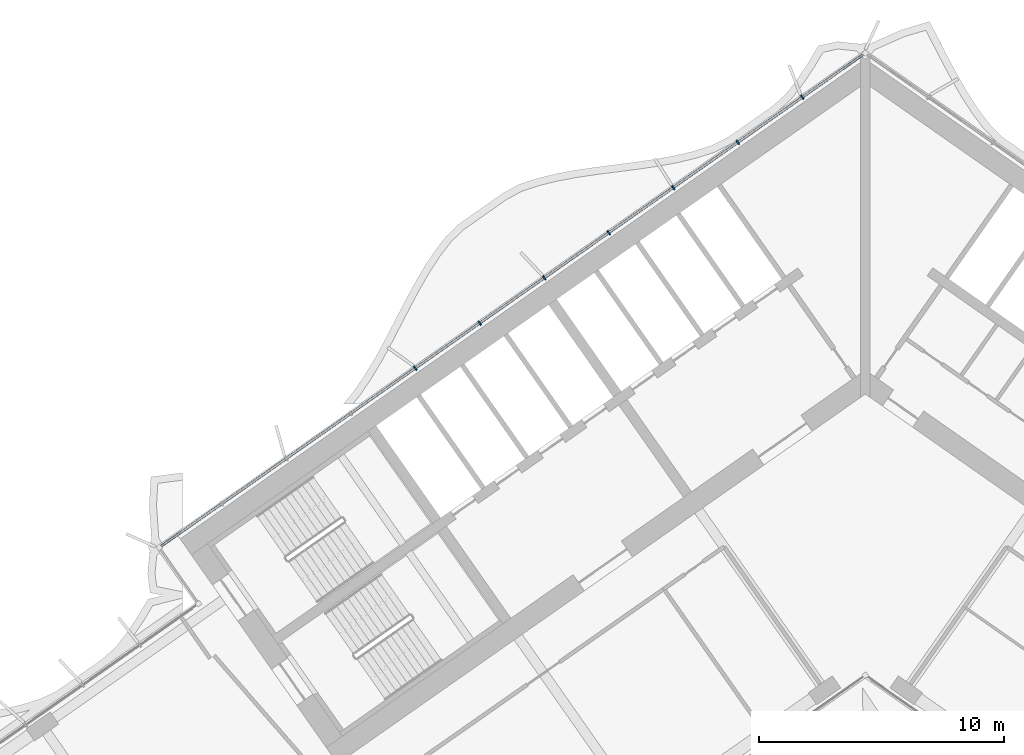
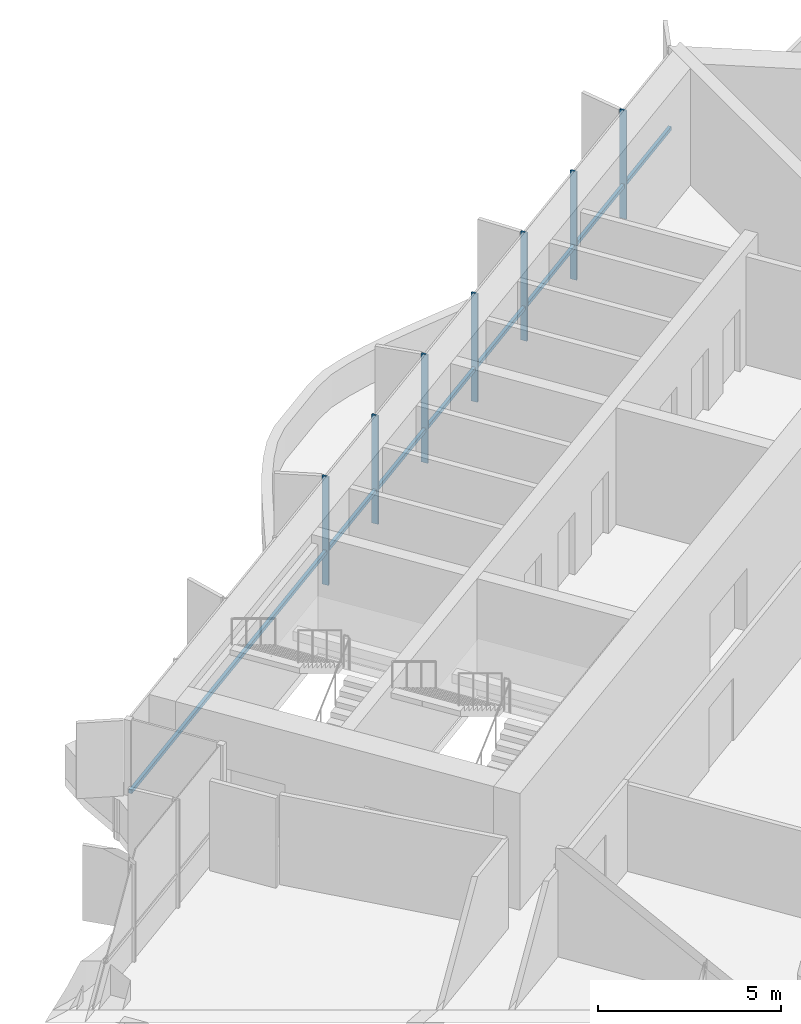
# One storey, part 7 of 21: 8 members, 1 element without a shape of its own.
"""IFC4 building model written with IfcOpenShell, lengths in metres."""

import ifcopenshell
import ifcopenshell.guid

model = None  # the IFC model being written
_history = None  # IfcOwnerHistory: only IFC2X3 demands one
_inside = {}  # id of a spatial element -> (the spatial element, [elements in it])
_under = {}  # id of a project, library or spatial element -> (it, [spatial elements below it])
_declared = {}  # id of a project -> (the project, [libraries it declares])
_typed = {}  # id of a type object -> (the type object, [elements of that type])
_made_of = {}  # id of a material, layer set ... -> (it, [elements and type objects made of it])


def new_model(schema):
    """Start an empty IFC model of exactly this schema.

    Asked for "IFC4X3", IfcOpenShell would pick the latest addendum, in which some entities
    have other attributes; the version numbers below select the first issue.
    IFC2X3 requires an IfcOwnerHistory on every rooted entity: one is made here for all.
    """
    global model, _history
    if schema == "IFC4X3":
        model = ifcopenshell.file(schema_version=(4, 3, 0, 0))
    else:
        model = ifcopenshell.file(schema=schema)
    _inside.clear()
    _under.clear()
    _declared.clear()
    _typed.clear()
    _made_of.clear()
    _history = None
    if model.schema == "IFC2X3":
        org = make("IfcOrganization", Name="unknown")
        user = make(
            "IfcPersonAndOrganization",
            ThePerson=make("IfcPerson", FamilyName="unknown"),
            TheOrganization=org,
        )
        app = make(
            "IfcApplication",
            ApplicationDeveloper=org,
            Version="unknown",
            ApplicationFullName="unknown",
            ApplicationIdentifier="unknown",
        )
        _history = make(
            "IfcOwnerHistory",
            OwningUser=user,
            OwningApplication=app,
            ChangeAction="ADDED",
            CreationDate=0,
        )
    return model


def make(cls, **values):
    """One entity of the class cls with the attributes given. An attribute that is None is left unset."""
    return model.create_entity(
        cls, **{name: value for name, value in values.items() if value is not None}
    )


def rooted(cls, **values):
    """An entity with a GlobalId (a new one), such as an element, a storey or a relation."""
    return make(cls, GlobalId=ifcopenshell.guid.new(), OwnerHistory=_history, **values)


def si_unit(unit_type, name, prefix=None):
    """IfcSIUnit, for example si_unit("LENGTHUNIT", "METRE", prefix="MILLI")."""
    return make("IfcSIUnit", UnitType=unit_type, Prefix=prefix, Name=name)


def assignment(units):
    """IfcUnitAssignment: the units of a project."""
    return None if units is None else make("IfcUnitAssignment", Units=units)


def point(xyz):
    """IfcCartesianPoint."""
    return None if xyz is None else make("IfcCartesianPoint", Coordinates=xyz)


def direction(xyz):
    """IfcDirection."""
    return None if xyz is None else make("IfcDirection", DirectionRatios=xyz)


def frame(location, z_axis=None, x_axis=None):
    """IfcAxis2Placement3D, a coordinate frame: its origin and axes. An axis left out is left unset."""
    return make(
        "IfcAxis2Placement3D",
        Location=point(location),
        Axis=direction(z_axis),
        RefDirection=direction(x_axis),
    )


def frame_2d(location, x_axis=None):
    """IfcAxis2Placement2D, a coordinate frame in the plane: its origin and x axis."""
    return make(
        "IfcAxis2Placement2D", Location=point(location), RefDirection=direction(x_axis)
    )


def origin():
    """The frame at (0, 0, 0) with its axes left unset."""
    return frame((0.0, 0.0, 0.0))


def origin_2d():
    """The frame at (0, 0) in the plane with its x axis left unset."""
    return frame_2d((0.0, 0.0))


def place(relative_to, where):
    """IfcLocalPlacement: puts the frame where relative to a parent placement (None: the world)."""
    return make(
        "IfcLocalPlacement", PlacementRelTo=relative_to, RelativePlacement=where
    )


def context(
    kind, dimensions, precision=None, world=None, true_north=None, identifier=None
):
    """IfcGeometricRepresentationContext, for example the 3D "Model" context."""
    return make(
        "IfcGeometricRepresentationContext",
        ContextIdentifier=identifier,
        ContextType=kind,
        CoordinateSpaceDimension=dimensions,
        Precision=precision,
        WorldCoordinateSystem=world,
        TrueNorth=true_north,
    )


def subcontext(parent, identifier, kind, view, scale=None):
    """IfcGeometricRepresentationSubContext, for example "Body" below "Model"."""
    return make(
        "IfcGeometricRepresentationSubContext",
        ContextIdentifier=identifier,
        ContextType=kind,
        ParentContext=parent,
        TargetScale=scale,
        TargetView=view,
    )


def project(units=None, contexts=None):
    """IfcProject with its units and contexts."""
    return rooted(
        "IfcProject",
        Name="project",
        RepresentationContexts=contexts,
        UnitsInContext=assignment(units),
    )


def spatial(cls, under=None, at=None, **own):
    """A site, building, storey or space (cls), placed at a placement, below another one or the project."""
    s = rooted(cls, ObjectPlacement=at, **own)
    if under is not None:
        _under.setdefault(under.id(), (under, []))[1].append(s)
    return s


def profile(cls, at=None, kind="AREA", **sizes):
    """A parametric profile (cls). Its sizes go by their IFC names, for example OverallWidth=200.0."""
    return make(cls, ProfileType=kind, Position=at, **sizes)


def rectangle(**sizes):
    """IfcRectangleProfileDef."""
    return profile("IfcRectangleProfileDef", **sizes)


def extrude(swept, where, along, depth):
    """IfcExtrudedAreaSolid: the profile swept, set in the frame where, extruded along a direction by depth."""
    return make(
        "IfcExtrudedAreaSolid",
        SweptArea=swept,
        Position=where,
        ExtrudedDirection=direction(along),
        Depth=depth,
    )


def shape(context_of_items, identifier, shape_type, items):
    """IfcShapeRepresentation: the items that make up one representation, for example the "Body"."""
    return make(
        "IfcShapeRepresentation",
        ContextOfItems=context_of_items,
        RepresentationIdentifier=identifier,
        RepresentationType=shape_type,
        Items=items,
    )


def material(Name=None, Category=None):
    """IfcMaterial."""
    return make("IfcMaterial", Name=Name, Category=Category)


def material_profile(
    of_material, cross_section, Name=None, Category=None, Priority=None
):
    """IfcMaterialProfile: a cross section and its material."""
    return make(
        "IfcMaterialProfile",
        Name=Name,
        Material=of_material,
        Profile=cross_section,
        Priority=Priority,
        Category=Category,
    )


def profile_set(profiles, Name=None, composite=None):
    """IfcMaterialProfileSet."""
    return make(
        "IfcMaterialProfileSet",
        Name=Name,
        MaterialProfiles=profiles,
        CompositeProfile=composite,
    )


def made_of(thing, what):
    """Note that an element or type object is made of a material, layer set ...; save() writes the relation."""
    if what is not None:
        _made_of.setdefault(what.id(), (what, []))[1].append(thing)
    return thing


def type_object(cls, material=None, **own):
    """A type object (cls), such as IfcWallType, which elements share."""
    return made_of(rooted(cls, **own), material)


def element(
    cls,
    number,
    at=None,
    inside=None,
    cuts=None,
    type_object=None,
    material=None,
    context=None,
    identifier="Body",
    shape_type=None,
    held_by="IfcProductDefinitionShape",
    body=None,
    shapes=None,
    **own,
):
    """One element of the class cls, such as IfcWall. Its Tag is "e" and its number.

    at: its placement. inside: the storey or other place that contains it. cuts: it is an
    opening in that element (IfcRelVoidsElement). A single representation is given by context,
    identifier, shape_type and body (its items); several are given by shapes. held_by: the class
    of the entity that holds the representations. save() writes the other relations.
    """
    e = rooted(cls, Tag="e%d" % number, ObjectPlacement=at, **own)
    if body is not None:
        shapes = [shape(context, identifier, shape_type, body)]
    if shapes is not None:
        e.Representation = make(held_by, Representations=shapes)
    if inside is not None:
        _inside.setdefault(inside.id(), (inside, []))[1].append(e)
    if cuts is not None:
        rooted(
            "IfcRelVoidsElement", RelatingBuildingElement=cuts, RelatedOpeningElement=e
        )
    if type_object is not None:
        _typed.setdefault(type_object.id(), (type_object, []))[1].append(e)
    return made_of(e, material)


def aggregate(whole, parts):
    """IfcRelAggregates: a whole, such as a stair, and the parts it consists of."""
    return rooted("IfcRelAggregates", RelatingObject=whole, RelatedObjects=parts)


def save(model, path):
    """Write the relations noted so far, then the file.

    IfcRelAggregates (storeys below a building ...), IfcRelContainedInSpatialStructure (elements
    in a storey), IfcRelDefinesByType, IfcRelAssociatesMaterial and IfcRelDeclares: one each for
    every whole, place, type object, material and project.
    """
    for whole, parts in _under.values():
        aggregate(whole, parts)
    for where, things in _inside.values():
        rooted(
            "IfcRelContainedInSpatialStructure",
            RelatedElements=things,
            RelatingStructure=where,
        )
    for kind, things in _typed.values():
        rooted("IfcRelDefinesByType", RelatedObjects=things, RelatingType=kind)
    for what, things in _made_of.values():
        rooted("IfcRelAssociatesMaterial", RelatedObjects=things, RelatingMaterial=what)
    for by, libraries in _declared.values():
        rooted("IfcRelDeclares", RelatingContext=by, RelatedDefinitions=libraries)
    model.write(path)


model = new_model("IFC4")

# Units and contexts
model_context = context("Model", 3, precision=1e-05, world=origin(), true_north=direction((0.0, 1.0)))
body_context = subcontext(model_context, "Body", "Model", "MODEL_VIEW")
ifc_project = project(units=[si_unit("LENGTHUNIT", "METRE"), si_unit("AREAUNIT", "SQUARE_METRE"), si_unit("VOLUMEUNIT", "CUBIC_METRE"), si_unit("PLANEANGLEUNIT", "RADIAN"), si_unit("MASSUNIT", "GRAM", prefix="KILO")], contexts=[model_context])

# Site, building, storey
site_placement = place(None, origin())
site = spatial("IfcSite", under=ifc_project, at=site_placement, CompositionType="ELEMENT")
building_placement = place(site_placement, origin())
building = spatial("IfcBuilding", under=site, at=building_placement, Name="Tel Ilan Convention Tower", CompositionType="ELEMENT")
storey_placement = place(building_placement, frame((0.0, 0.0, 147.60009765625)))
storey = spatial("IfcBuildingStorey", under=building, at=storey_placement, Name="L33", CompositionType="ELEMENT", Elevation=147.60009765625)

# Curtain wall, members
ifc_material_1 = material(Name="Aluminium, bronze anodised", Category="aluminium")
curtain_wall_type = type_object("IfcCurtainWallType", Name="CW2 STICK CURTAIN WALL, SPANDREL PANELS", PredefinedType="NOTDEFINED", material=ifc_material_1)
curtain_wall_placement = place(storey_placement, origin())
curtain_wall = element("IfcCurtainWall", 1, at=curtain_wall_placement, inside=storey, type_object=curtain_wall_type, Name="Curtain wall CW2-27.01", PredefinedType="NOTDEFINED")
ifc_material_2 = material(Name="Aluminium, bronze anodised", Category="aluminium")
ifc_material_profile_1 = material_profile(ifc_material_2, rectangle(XDim=0.06005859375, YDim=0.199951171875, at=origin_2d()), Name="CW MULLION 60x200")
ifc_profile_set_1 = profile_set([ifc_material_profile_1], Name="Aluminium, bronze anodised")
member_type_1 = type_object("IfcMemberType", Name="CW MULLION 60x200", PredefinedType="MULLION", material=ifc_profile_set_1)
member_1_placement = place(storey_placement, frame((-2.5751953125, 10.892822265625, 0.0), z_axis=(0.0, 0.0, 1.0), x_axis=(-0.819152044289, -0.573576436351, 0.0)))
member_1 = element("IfcMember", 2, at=member_1_placement, type_object=member_type_1, Name="Mullion", PredefinedType="MULLION", context=body_context, shape_type="SweptSolid", body=[
    extrude(rectangle(XDim=0.06005859375, YDim=0.199951171875, at=origin_2d()), origin(), (0.0, 0.0, 1.0), 3.619873046875),
])
member_2_placement = place(storey_placement, frame((-5.207763671875, 9.049560546875, 0.0), z_axis=(0.0, 0.0, 1.0), x_axis=(-0.819152044289, -0.573576436351, 0.0)))
member_2 = element("IfcMember", 3, at=member_2_placement, type_object=member_type_1, Name="Mullion", PredefinedType="MULLION", context=body_context, shape_type="SweptSolid", body=[
    extrude(rectangle(XDim=0.06005859375, YDim=0.199951171875, at=origin_2d()), origin(), (0.0, 0.0, 1.0), 3.619873046875),
])
member_3_placement = place(storey_placement, frame((-7.840576171875, 7.2060546875, 0.0), z_axis=(0.0, 0.0, 1.0), x_axis=(-0.819152044289, -0.573576436351, 0.0)))
member_3 = element("IfcMember", 4, at=member_3_placement, type_object=member_type_1, Name="Mullion", PredefinedType="MULLION", context=body_context, shape_type="SweptSolid", body=[
    extrude(rectangle(XDim=0.06005859375, YDim=0.199951171875, at=origin_2d()), origin(), (0.0, 0.0, 1.0), 3.619873046875),
])
member_4_placement = place(storey_placement, frame((-10.47314453125, 5.36279296875, 0.0), z_axis=(0.0, 0.0, 1.0), x_axis=(-0.819152044289, -0.573576436351, 0.0)))
member_4 = element("IfcMember", 5, at=member_4_placement, type_object=member_type_1, Name="Mullion", PredefinedType="MULLION", context=body_context, shape_type="SweptSolid", body=[
    extrude(rectangle(XDim=0.06005859375, YDim=0.199951171875, at=origin_2d()), origin(), (0.0, 0.0, 1.0), 3.619873046875),
])
member_5_placement = place(storey_placement, frame((-13.105712890625, 3.519287109375, 0.0), z_axis=(0.0, 0.0, 1.0), x_axis=(-0.819152044289, -0.573576436351, 0.0)))
member_5 = element("IfcMember", 6, at=member_5_placement, type_object=member_type_1, Name="Mullion", PredefinedType="MULLION", context=body_context, shape_type="SweptSolid", body=[
    extrude(rectangle(XDim=0.06005859375, YDim=0.199951171875, at=origin_2d()), origin(), (0.0, 0.0, 1.0), 3.619873046875),
])
member_6_placement = place(storey_placement, frame((-15.73828125, 1.676025390625, 0.0), z_axis=(0.0, 0.0, 1.0), x_axis=(-0.819152044289, -0.573576436351, 0.0)))
member_6 = element("IfcMember", 7, at=member_6_placement, type_object=member_type_1, Name="Mullion", PredefinedType="MULLION", context=body_context, shape_type="SweptSolid", body=[
    extrude(rectangle(XDim=0.06005859375, YDim=0.199951171875, at=origin_2d()), origin(), (0.0, 0.0, 1.0), 3.619873046875),
])
member_7_placement = place(storey_placement, frame((-18.37109375, -0.16748046875, 0.0), z_axis=(0.0, 0.0, 1.0), x_axis=(-0.819152044289, -0.573576436351, 0.0)))
member_7 = element("IfcMember", 8, at=member_7_placement, type_object=member_type_1, Name="Mullion", PredefinedType="MULLION", context=body_context, shape_type="SweptSolid", body=[
    extrude(rectangle(XDim=0.06005859375, YDim=0.199951171875, at=origin_2d()), origin(), (0.0, 0.0, 1.0), 3.619873046875),
])
ifc_material_3 = material(Name="Aluminium, bronze anodised", Category="aluminium")
ifc_material_profile_2 = material_profile(ifc_material_3, rectangle(XDim=0.10009765625, YDim=0.1201171875, at=origin_2d()), Name="CW TRANSOM 100x120")
ifc_profile_set_2 = profile_set([ifc_material_profile_2], Name="Aluminium, bronze anodised")
member_type_2 = type_object("IfcMemberType", Name="CW TRANSOM 100x120", PredefinedType="USERDEFINED", material=ifc_profile_set_2)
member_8_placement = place(storey_placement, frame((-0.1064453125, 12.62158203125, 1.099853515625), z_axis=(-0.819150201937, -0.573579067494, 0.0), x_axis=(0.573579067494, -0.819150201937, 0.0)))
member_8 = element("IfcMember", 9, at=member_8_placement, type_object=member_type_2, Name="Transom", ObjectType="TRANSOM", PredefinedType="USERDEFINED", context=body_context, shape_type="SweptSolid", body=[
    extrude(rectangle(XDim=0.10009765625, YDim=0.1201171875, at=origin_2d()), origin(), (0.0, 0.0, 1.0), 34.9521484375),
])
aggregate(curtain_wall, [member_1, member_2, member_3, member_4, member_5, member_6, member_7, member_8])

save(model, "model.ifc")
